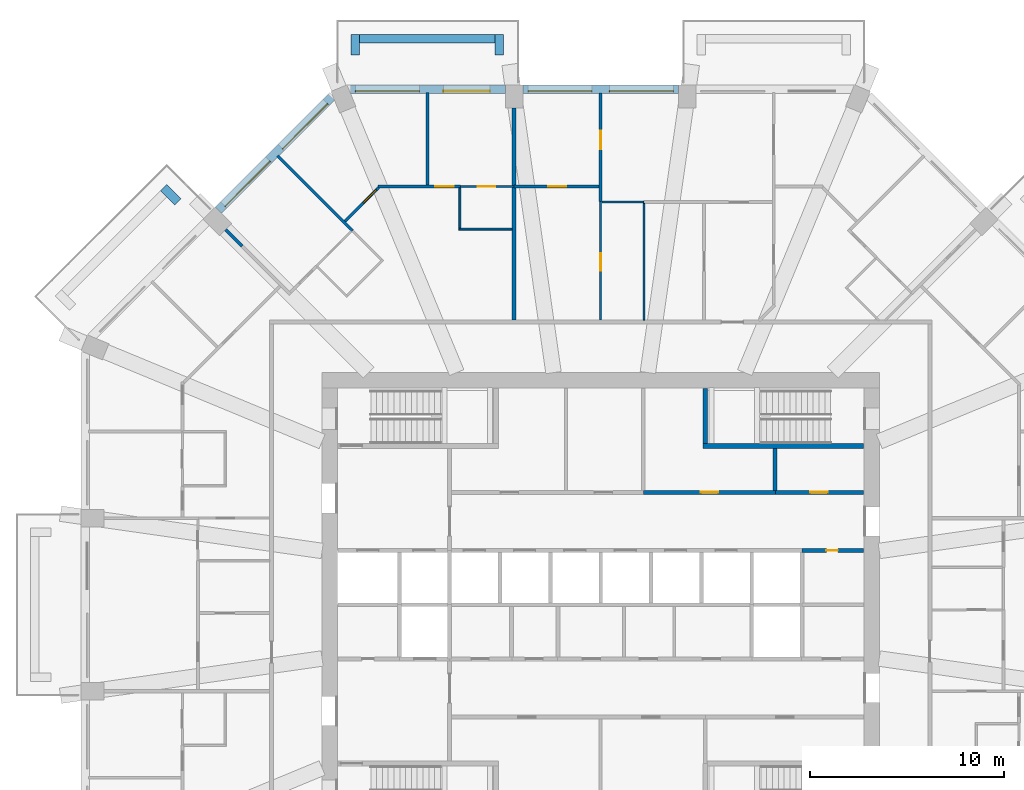
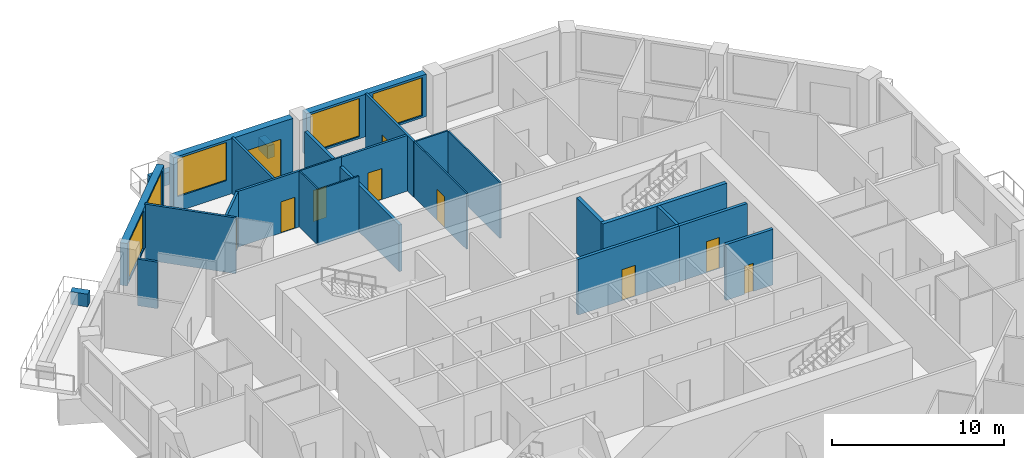
# One storey, part 9 of 13: 27 walls, 10 doors, 5 windows, 15 openings.
"""IFC4 building model written with IfcOpenShell, lengths in metres."""

from ifc_helpers import new_model, si_unit, direction, frame, frame_2d, origin, place, context, subcontext, project, spatial, rectangle, extrude, material, layer, layer_set, type_object, element, fill, save


model = new_model("IFC4")

# Units and contexts
model_context = context("Model", 3, precision=1e-05, world=origin(), true_north=direction((0.0, 1.0)))
body_context = subcontext(model_context, "Body", "Model", "MODEL_VIEW")
ifc_project = project(units=[si_unit("LENGTHUNIT", "METRE"), si_unit("AREAUNIT", "SQUARE_METRE"), si_unit("VOLUMEUNIT", "CUBIC_METRE"), si_unit("PLANEANGLEUNIT", "RADIAN"), si_unit("MASSUNIT", "GRAM", prefix="KILO")], contexts=[model_context])

# Site, building, storey
site_placement = place(None, origin())
site = spatial("IfcSite", under=ifc_project, at=site_placement, CompositionType="ELEMENT")
building_placement = place(site_placement, origin())
building = spatial("IfcBuilding", under=site, at=building_placement, Name="Msitu Wima Residences", CompositionType="ELEMENT")
storey_placement = place(building_placement, frame((0.0, 0.0, 106.5)))
storey = spatial("IfcBuildingStorey", under=building, at=storey_placement, Name="L24", CompositionType="ELEMENT", Elevation=106.5)

# Walls
ifc_material_1 = material(Name="Facing brick")
ifc_layer_1 = layer(ifc_material_1, 0.06494140625, Name="Facing brick")
ifc_material_2 = material(Name="Concrete C40/50", Category="concrete")
ifc_layer_2 = layer(ifc_material_2, 0.156005859375, Name="Concrete C40/50")
ifc_material_3 = material(Name="Waterproofing membrane")
ifc_layer_3 = layer(ifc_material_3, 0.00390625, Name="Waterproofing membrane")
ifc_material_4 = material(Name="Planting soil and planting")
ifc_layer_4 = layer(ifc_material_4, 0.22509765625, Name="Planting soil and planting")
ifc_layer_set_1 = layer_set([ifc_layer_1, ifc_layer_2, ifc_layer_3, ifc_layer_4], Name="Concrete C40/50")
wall_type_1 = type_object("IfcWallType", Name="Balcony planter PLANTER PL450", PredefinedType="USERDEFINED", material=ifc_layer_set_1)
wall_1_placement = place(storey_placement, frame((-5.468505859375, 29.22509765625, 0.0), z_axis=(0.0, 0.0, 1.0), x_axis=(-1.0, 0.0, 0.0)))
element("IfcWall", 1, at=wall_1_placement, inside=storey, type_object=wall_type_1, Name="Balcony planter N2 L24", ObjectType="PLANTER", PredefinedType="USERDEFINED", context=body_context, shape_type="SweptSolid", body=[
    extrude(rectangle(XDim=6.9873046875, YDim=0.449951171875, at=frame_2d((3.49365234375, 0.0))), origin(), (0.0, 0.0, 1.0), 0.89990234375),
])
for number, where, z_axis, x_axis, name in (
    (2, (-5.24365234375, 28.39990234375, 0.0), (0.0, 0.0, 1.0), (0.0, 1.0, 0.0), "Balcony planter N2 L24"),
    (3, (-12.680908203125, 28.39990234375, 0.0), (0.0, 0.0, 1.0), (0.0, 1.0, 0.0), "Balcony planter N2 L24"),
    (4, (-21.829833984375, 20.804443359375, 0.0), (0.0, 0.0, 1.0), (-0.707106781187, 0.707106781187, 0.0), "Balcony planter NW1 L24"),
):
    element("IfcWall", number, at=place(storey_placement, frame(where, z_axis=z_axis, x_axis=x_axis)), inside=storey, type_object=wall_type_1, Name=name, ObjectType="PLANTER", PredefinedType="USERDEFINED", context=body_context, shape_type="SweptSolid", body=[
        extrude(rectangle(XDim=1.050048828125, YDim=0.449951171875, at=frame_2d((0.52490234375, 0.0))), origin(), (0.0, 0.0, 1.0), 0.89990234375),
    ])

# Wall, openings, windows
ifc_material_5 = material(Name="Brick (red buff mix)", Category="masonry")
ifc_layer_5 = layer(ifc_material_5, 0.449951171875)
ifc_layer_set_2 = layer_set([ifc_layer_5], Name="Brick (red buff mix)")
wall_type_2 = type_object("IfcWallType", Name="Brick infill wall BW450", PredefinedType="SOLIDWALL", material=ifc_layer_set_2)
wall_2_placement = place(storey_placement, frame((4.0185546875, 26.625, 0.89990234375), z_axis=(0.0, 0.0, 1.0), x_axis=(-1.0, 0.0, 0.0)))
wall_2 = element("IfcWall", 5, at=wall_2_placement, inside=storey, type_object=wall_type_2, Name="Brick infill wall L24 N1", PredefinedType="SOLIDWALL", context=body_context, shape_type="SweptSolid", body=[
    extrude(rectangle(XDim=8.037109375, YDim=0.449951171875, at=frame_2d((4.0185546875, 0.0))), origin(), (0.0, 0.0, 1.0), 3.0),
])
opening_1_placement = place(wall_2_placement, frame((0.2685546875, 0.0, 0.14990234375)))
opening_1 = element("IfcOpeningElement", 6, at=opening_1_placement, cuts=wall_2, Name="Opening W24.007", PredefinedType="OPENING", context=body_context, shape_type="SweptSolid", body=[
    extrude(rectangle(XDim=3.300048828125, YDim=2.699951171875, at=frame_2d((1.64990234375, 1.35009765625))), frame((0.0, 0.23486328125, 0.0), z_axis=(0.0, -1.0, 0.0), x_axis=(1.0, 0.0, 0.0)), (0.0, 0.0, 1.0), 0.469970703125),
])
opening_2_placement = place(wall_2_placement, frame((4.46875, 0.0, 0.14990234375)))
opening_2 = element("IfcOpeningElement", 7, at=opening_2_placement, cuts=wall_2, Name="Opening W24.008", PredefinedType="OPENING", context=body_context, shape_type="SweptSolid", body=[
    extrude(rectangle(XDim=3.300048828125, YDim=2.699951171875, at=frame_2d((1.64990234375, 1.35009765625))), frame((0.0, 0.23486328125, 0.0), z_axis=(0.0, -1.0, 0.0), x_axis=(1.0, 0.0, 0.0)), (0.0, 0.0, 1.0), 0.469970703125),
])
ifc_material_6 = material(Name="Anodised aluminium, bronze finish, clear low-emissivity double glazing", Category="aluminium")
window_type = type_object("IfcWindowType", Name="Window W3300x2700", PartitioningType="DOUBLE_PANEL_VERTICAL", PredefinedType="WINDOW", material=ifc_material_6)
window_1_placement = place(opening_1_placement, origin())
window_1 = element("IfcWindow", 8, at=window_1_placement, inside=storey, type_object=window_type, Name="Window L24 N1.1", OverallHeight=2.699951171875, OverallWidth=3.300048828125, PartitioningType="SINGLE_PANEL", PredefinedType="WINDOW", context=body_context, shape_type="SweptSolid", body=[
    extrude(rectangle(XDim=3.300048828125, YDim=2.699951171875, at=frame_2d((1.64990234375, 1.35009765625))), frame((0.0, 0.135009765625, 0.0), z_axis=(0.0, -1.0, 0.0), x_axis=(1.0, 0.0, 0.0)), (0.0, 0.0, 1.0), 0.06005859375),
])
fill(opening_1, window_1)
window_2_placement = place(opening_2_placement, origin())
window_2 = element("IfcWindow", 9, at=window_2_placement, inside=storey, type_object=window_type, Name="Window L24 N1.2", OverallHeight=2.699951171875, OverallWidth=3.300048828125, PartitioningType="SINGLE_PANEL", PredefinedType="WINDOW", context=body_context, shape_type="SweptSolid", body=[
    extrude(rectangle(XDim=3.300048828125, YDim=2.699951171875, at=frame_2d((1.64990234375, 1.35009765625))), frame((0.0, 0.135009765625, 0.0), z_axis=(0.0, -1.0, 0.0), x_axis=(1.0, 0.0, 0.0)), (0.0, 0.0, 1.0), 0.06005859375),
])
fill(opening_2, window_2)

# Wall, openings, door, window
wall_3_placement = place(storey_placement, frame((-4.918701171875, 26.625, 0.0), z_axis=(0.0, 0.0, 1.0), x_axis=(-1.0, 0.0, 0.0)))
wall_3 = element("IfcWall", 10, at=wall_3_placement, inside=storey, type_object=wall_type_2, Name="Brick infill wall L24 N2", PredefinedType="SOLIDWALL", context=body_context, shape_type="SweptSolid", body=[
    extrude(rectangle(XDim=8.0, YDim=0.449951171875, at=frame_2d((4.0, 0.0))), origin(), (0.0, 0.0, 1.0), 3.89990234375),
])
opening_3_placement = place(wall_3_placement, frame((0.800048828125, 0.0, 0.0)))
opening_3 = element("IfcOpeningElement", 11, at=opening_3_placement, cuts=wall_3, Name="Opening D24.003", PredefinedType="OPENING", context=body_context, shape_type="SweptSolid", body=[
    extrude(rectangle(XDim=2.39990234375, YDim=2.699951171875, at=frame_2d((1.199951171875, 1.35009765625))), frame((0.0, 0.23486328125, 0.0), z_axis=(0.0, -1.0, 0.0), x_axis=(1.0, 0.0, 0.0)), (0.0, 0.0, 1.0), 0.469970703125),
])
opening_4_placement = place(wall_3_placement, frame((4.4501953125, 0.0, 1.050048828125)))
opening_4 = element("IfcOpeningElement", 12, at=opening_4_placement, cuts=wall_3, Name="Opening W24.009", PredefinedType="OPENING", context=body_context, shape_type="SweptSolid", body=[
    extrude(rectangle(XDim=3.300048828125, YDim=2.699951171875, at=frame_2d((1.64990234375, 1.35009765625))), frame((0.0, 0.23486328125, 0.0), z_axis=(0.0, -1.0, 0.0), x_axis=(1.0, 0.0, 0.0)), (0.0, 0.0, 1.0), 0.469970703125),
])
door_type_1 = type_object("IfcDoorType", Name="Balcony door D2400x2700", OperationType="SLIDING_TO_LEFT", PredefinedType="DOOR", material=ifc_material_6)
door_1_placement = place(opening_3_placement, origin())
door_1 = element("IfcDoor", 13, at=door_1_placement, inside=storey, type_object=door_type_1, Name="Balcony door L24 N2", OperationType="SINGLE_SWING_LEFT", OverallHeight=2.699951171875, OverallWidth=2.39990234375, PredefinedType="DOOR", context=body_context, shape_type="SweptSolid", body=[
    extrude(rectangle(XDim=2.39990234375, YDim=2.699951171875, at=frame_2d((1.199951171875, 1.35009765625))), frame((0.0, 0.1298828125, 0.0), z_axis=(0.0, -1.0, 0.0), x_axis=(1.0, 0.0, 0.0)), (0.0, 0.0, 1.0), 0.050048828125),
])
fill(opening_3, door_1)
window_3_placement = place(opening_4_placement, origin())
window_3 = element("IfcWindow", 14, at=window_3_placement, inside=storey, type_object=window_type, Name="Window L24 N2.2", OverallHeight=2.699951171875, OverallWidth=3.300048828125, PartitioningType="SINGLE_PANEL", PredefinedType="WINDOW", context=body_context, shape_type="SweptSolid", body=[
    extrude(rectangle(XDim=3.300048828125, YDim=2.699951171875, at=frame_2d((1.64990234375, 1.35009765625))), frame((0.0, 0.135009765625, 0.0), z_axis=(0.0, -1.0, 0.0), x_axis=(1.0, 0.0, 0.0)), (0.0, 0.0, 1.0), 0.06005859375),
])
fill(opening_4, window_3)

# Wall, openings, windows
wall_4_placement = place(storey_placement, frame((-13.909423828125, 26.214599609375, 0.89990234375), z_axis=(0.0, 0.0, 1.0), x_axis=(-0.707106781187, -0.707106781187, 0.0)))
wall_4 = element("IfcWall", 15, at=wall_4_placement, inside=storey, type_object=wall_type_2, Name="Brick infill wall L24 NW0", PredefinedType="SOLIDWALL", context=body_context, shape_type="SweptSolid", body=[
    extrude(rectangle(XDim=8.251220703125, YDim=0.449951171875, at=frame_2d((4.12548828125, 0.0))), origin(), (0.0, 0.0, 1.0), 3.0),
])
opening_5_placement = place(wall_4_placement, frame((0.37548828125, 0.0, 0.14990234375)))
opening_5 = element("IfcOpeningElement", 16, at=opening_5_placement, cuts=wall_4, Name="Opening W24.013", PredefinedType="OPENING", context=body_context, shape_type="SweptSolid", body=[
    extrude(rectangle(XDim=3.300048828125, YDim=2.699951171875, at=frame_2d((1.64990234375, 1.35009765625))), frame((0.0, 0.23486328125, 0.0), z_axis=(0.0, -1.0, 0.0), x_axis=(1.0, 0.0, 0.0)), (0.0, 0.0, 1.0), 0.469970703125),
])
opening_6_placement = place(wall_4_placement, frame((4.57568359375, 0.0, 0.14990234375)))
opening_6 = element("IfcOpeningElement", 17, at=opening_6_placement, cuts=wall_4, Name="Opening W24.014", PredefinedType="OPENING", context=body_context, shape_type="SweptSolid", body=[
    extrude(rectangle(XDim=3.300048828125, YDim=2.699951171875, at=frame_2d((1.64990234375, 1.35009765625))), frame((0.0, 0.23486328125, 0.0), z_axis=(0.0, -1.0, 0.0), x_axis=(1.0, 0.0, 0.0)), (0.0, 0.0, 1.0), 0.469970703125),
])
window_4_placement = place(opening_5_placement, origin())
window_4 = element("IfcWindow", 18, at=window_4_placement, inside=storey, type_object=window_type, Name="Window L24 NW0.1", OverallHeight=2.699951171875, OverallWidth=3.300048828125, PartitioningType="SINGLE_PANEL", PredefinedType="WINDOW", context=body_context, shape_type="SweptSolid", body=[
    extrude(rectangle(XDim=3.300048828125, YDim=2.699951171875, at=frame_2d((1.64990234375, 1.35009765625))), frame((0.0, 0.135009765625, 0.0), z_axis=(0.0, -1.0, 0.0), x_axis=(1.0, 0.0, 0.0)), (0.0, 0.0, 1.0), 0.06005859375),
])
fill(opening_5, window_4)
window_5_placement = place(opening_6_placement, origin())
window_5 = element("IfcWindow", 19, at=window_5_placement, inside=storey, type_object=window_type, Name="Window L24 NW0.2", OverallHeight=2.699951171875, OverallWidth=3.300048828125, PartitioningType="SINGLE_PANEL", PredefinedType="WINDOW", context=body_context, shape_type="SweptSolid", body=[
    extrude(rectangle(XDim=3.300048828125, YDim=2.699951171875, at=frame_2d((1.64990234375, 1.35009765625))), frame((0.0, 0.135009765625, 0.0), z_axis=(0.0, -1.0, 0.0), x_axis=(1.0, 0.0, 0.0)), (0.0, 0.0, 1.0), 0.06005859375),
])
fill(opening_6, window_5)

# Wall, opening, door
ifc_material_7 = material(Name="Plaster")
ifc_layer_6 = layer(ifc_material_7, 0.011962890625, Name="Plaster")
ifc_material_8 = material(Name="Concrete blockwork", Category="masonry")
ifc_layer_7 = layer(ifc_material_8, 0.176025390625, Name="Concrete blockwork")
ifc_layer_8 = layer(ifc_material_7, 0.011962890625, Name="Plaster")
ifc_layer_set_3 = layer_set([ifc_layer_6, ifc_layer_7, ifc_layer_8], Name="Concrete blockwork")
wall_type_3 = type_object("IfcWallType", Name="Corridor wall FW200", PredefinedType="PARTITIONING", material=ifc_layer_set_3)
wall_5_placement = place(storey_placement, frame((9.02001953125, 5.800048828125, 0.0), z_axis=(0.0, 0.0, 1.0), x_axis=(1.0, 0.0, 0.0)))
wall_5 = element("IfcWall", 20, at=wall_5_placement, inside=storey, type_object=wall_type_3, Name="Corridor wall", PredefinedType="PARTITIONING", context=body_context, shape_type="SweptSolid", body=[
    extrude(rectangle(XDim=4.550048828125, YDim=0.199951171875, at=frame_2d((2.27490234375, 0.0))), origin(), (0.0, 0.0, 1.0), 3.949951171875),
])
opening_7_placement = place(wall_5_placement, frame((1.800048828125, 0.0, 0.0)))
opening_7 = element("IfcOpeningElement", 21, at=opening_7_placement, cuts=wall_5, Name="Opening D24.023", PredefinedType="OPENING", context=body_context, shape_type="SweptSolid", body=[
    extrude(rectangle(XDim=0.89990234375, YDim=2.199951171875, at=frame_2d((0.449951171875, 1.10009765625))), frame((0.0, 0.10986328125, 0.0), z_axis=(0.0, -1.0, 0.0), x_axis=(1.0, 0.0, 0.0)), (0.0, 0.0, 1.0), 0.219970703125),
])
ifc_material_9 = material(Name="Timber flush door", Category="wood")
door_type_2 = type_object("IfcDoorType", Name="Service door D05 900x2200", OperationType="SINGLE_SWING_LEFT", PredefinedType="DOOR", material=ifc_material_9)
door_2_placement = place(opening_7_placement, origin())
door_2 = element("IfcDoor", 22, at=door_2_placement, inside=storey, type_object=door_type_2, Name="Service door", OperationType="SINGLE_SWING_LEFT", OverallHeight=2.199951171875, OverallWidth=0.89990234375, PredefinedType="DOOR", context=body_context, shape_type="SweptSolid", body=[
    extrude(rectangle(XDim=0.89990234375, YDim=2.199951171875, at=frame_2d((0.449951171875, 1.10009765625))), frame((0.0, 0.02490234375, 0.0), z_axis=(0.0, -1.0, 0.0), x_axis=(1.0, 0.0, 0.0)), (0.0, 0.0, 1.0), 0.050048828125),
])
fill(opening_7, door_2)

# Walls
ifc_layer_9 = layer(ifc_material_7, 0.011962890625, Name="Plaster")
ifc_layer_10 = layer(ifc_material_8, 0.1259765625, Name="Concrete blockwork")
ifc_layer_11 = layer(ifc_material_7, 0.011962890625, Name="Plaster")
ifc_layer_set_4 = layer_set([ifc_layer_9, ifc_layer_10, ifc_layer_11], Name="Concrete blockwork")
wall_type_4 = type_object("IfcWallType", Name="Partition PW150", PredefinedType="PARTITIONING", material=ifc_layer_set_4)
wall_6_placement = place(storey_placement, frame((-19.37255859375, 19.37255859375, 0.0), z_axis=(0.0, 0.0, 1.0), x_axis=(0.707106781187, -0.707106781187, 0.0)))
element("IfcWall", 23, at=wall_6_placement, inside=storey, type_object=wall_type_4, Name="Partition", PredefinedType="PARTITIONING", context=body_context, shape_type="SweptSolid", body=[
    extrude(rectangle(XDim=1.209228515625, YDim=0.14990234375, at=frame_2d((0.6044921875, 0.0))), origin(), (0.0, 0.0, 1.0), 3.300048828125),
])
wall_7_placement = place(storey_placement, frame((-16.693359375, 23.1904296875, 0.0), z_axis=(0.0, 0.0, 1.0), x_axis=(0.707106781187, -0.707106781187, 0.0)))
element("IfcWall", 24, at=wall_7_placement, inside=storey, type_object=wall_type_4, Name="Partition", PredefinedType="PARTITIONING", context=body_context, shape_type="SweptSolid", body=[
    extrude(rectangle(XDim=5.475341796875, YDim=0.14990234375, at=frame_2d((2.73779296875, 0.0))), origin(), (0.0, 0.0, 1.0), 3.949951171875),
])

# Wall, opening, door
wall_8_placement = place(storey_placement, frame((-13.207275390625, 19.810302734375, 0.0), z_axis=(0.0, 0.0, 1.0), x_axis=(0.707106781187, 0.707106781187, 0.0)))
wall_8 = element("IfcWall", 25, at=wall_8_placement, inside=storey, type_object=wall_type_4, Name="Partition", PredefinedType="PARTITIONING", context=body_context, shape_type="SweptSolid", body=[
    extrude(rectangle(XDim=2.455810546875, YDim=0.14990234375, at=frame_2d((1.22802734375, 0.0))), origin(), (0.0, 0.0, 1.0), 3.949951171875),
])
opening_8_placement = place(wall_8_placement, frame((1.35009765625, 0.0, 0.0)))
opening_8 = element("IfcOpeningElement", 26, at=opening_8_placement, cuts=wall_8, Name="Opening D24.059", PredefinedType="OPENING", context=body_context, shape_type="SweptSolid", body=[
    extrude(rectangle(XDim=0.949951171875, YDim=2.199951171875, at=frame_2d((0.47509765625, 1.10009765625))), frame((0.0, 0.0849609375, 0.0), z_axis=(0.0, -1.0, 0.0), x_axis=(1.0, 0.0, 0.0)), (0.0, 0.0, 1.0), 0.169921875),
])
door_type_3 = type_object("IfcDoorType", Name="Room door D12 950x2200", OperationType="SINGLE_SWING_LEFT", PredefinedType="DOOR", material=ifc_material_9)
door_3_placement = place(opening_8_placement, origin())
door_3 = element("IfcDoor", 27, at=door_3_placement, inside=storey, type_object=door_type_3, Name="Room door", OperationType="SINGLE_SWING_LEFT", OverallHeight=2.199951171875, OverallWidth=0.949951171875, PredefinedType="DOOR", context=body_context, shape_type="SweptSolid", body=[
    extrude(rectangle(XDim=0.949951171875, YDim=2.199951171875, at=frame_2d((0.47509765625, 1.10009765625))), frame((0.0, 0.02490234375, 0.0), z_axis=(0.0, -1.0, 0.0), x_axis=(1.0, 0.0, 0.0)), (0.0, 0.0, 1.0), 0.050048828125),
])
fill(opening_8, door_3)

wall_9_placement = place(storey_placement, frame((-11.49267578125, 21.60009765625, 0.0), z_axis=(0.0, 0.0, 1.0), x_axis=(1.0, 0.0, 0.0)))
wall_9 = element("IfcWall", 28, at=wall_9_placement, inside=storey, type_object=wall_type_4, Name="Partition", PredefinedType="PARTITIONING", context=body_context, shape_type="SweptSolid", body=[
    extrude(rectangle(XDim=4.244140625, YDim=0.14990234375, at=frame_2d((2.1220703125, 0.0))), origin(), (0.0, 0.0, 1.0), 3.949951171875),
])
opening_9_placement = place(wall_9_placement, frame((2.949951171875, 0.0, 0.0)))
opening_9 = element("IfcOpeningElement", 29, at=opening_9_placement, cuts=wall_9, Name="Opening D24.055", PredefinedType="OPENING", context=body_context, shape_type="SweptSolid", body=[
    extrude(rectangle(XDim=0.949951171875, YDim=2.199951171875, at=frame_2d((0.47509765625, 1.10009765625))), frame((0.0, 0.0849609375, 0.0), z_axis=(0.0, -1.0, 0.0), x_axis=(1.0, 0.0, 0.0)), (0.0, 0.0, 1.0), 0.169921875),
])
door_4_placement = place(opening_9_placement, origin())
door_4 = element("IfcDoor", 30, at=door_4_placement, inside=storey, type_object=door_type_3, Name="Room door", OperationType="SINGLE_SWING_LEFT", OverallHeight=2.199951171875, OverallWidth=0.949951171875, PredefinedType="DOOR", context=body_context, shape_type="SweptSolid", body=[
    extrude(rectangle(XDim=0.949951171875, YDim=2.199951171875, at=frame_2d((0.47509765625, 1.10009765625))), frame((0.0, 0.02490234375, 0.0), z_axis=(0.0, -1.0, 0.0), x_axis=(1.0, 0.0, 0.0)), (0.0, 0.0, 1.0), 0.050048828125),
])
fill(opening_9, door_4)

# Wall
wall_10_placement = place(storey_placement, frame((-8.937255859375, 21.675048828125, 0.0), z_axis=(0.0, 0.0, 1.0), x_axis=(0.0, 1.0, 0.0)))
element("IfcWall", 31, at=wall_10_placement, inside=storey, type_object=wall_type_4, Name="Partition", PredefinedType="PARTITIONING", context=body_context, shape_type="SweptSolid", body=[
    extrude(rectangle(XDim=4.780029296875, YDim=0.14990234375, at=frame_2d((2.39013671875, 0.0))), origin(), (0.0, 0.0, 1.0), 3.949951171875),
])

# Wall, opening, door
wall_11_placement = place(storey_placement, frame((-4.46875, 21.60009765625, 0.0), z_axis=(0.0, 0.0, 1.0), x_axis=(1.0, 0.0, 0.0)))
wall_11 = element("IfcWall", 32, at=wall_11_placement, inside=storey, type_object=wall_type_4, Name="Partition", PredefinedType="PARTITIONING", context=body_context, shape_type="SweptSolid", body=[
    extrude(rectangle(XDim=4.393798828125, YDim=0.14990234375, at=frame_2d((2.19677734375, 0.0))), origin(), (0.0, 0.0, 1.0), 3.949951171875),
])
opening_10_placement = place(wall_11_placement, frame((1.75, 0.0, 0.0)))
opening_10 = element("IfcOpeningElement", 33, at=opening_10_placement, cuts=wall_11, Name="Opening D24.093", PredefinedType="OPENING", context=body_context, shape_type="SweptSolid", body=[
    extrude(rectangle(XDim=0.949951171875, YDim=2.199951171875, at=frame_2d((0.47509765625, 1.10009765625))), frame((0.0, 0.0849609375, 0.0), z_axis=(0.0, -1.0, 0.0), x_axis=(1.0, 0.0, 0.0)), (0.0, 0.0, 1.0), 0.169921875),
])
door_5_placement = place(opening_10_placement, origin())
door_5 = element("IfcDoor", 34, at=door_5_placement, inside=storey, type_object=door_type_3, Name="Room door", OperationType="SINGLE_SWING_LEFT", OverallHeight=2.199951171875, OverallWidth=0.949951171875, PredefinedType="DOOR", context=body_context, shape_type="SweptSolid", body=[
    extrude(rectangle(XDim=0.949951171875, YDim=2.199951171875, at=frame_2d((0.47509765625, 1.10009765625))), frame((0.0, 0.02490234375, 0.0), z_axis=(0.0, -1.0, 0.0), x_axis=(1.0, 0.0, 0.0)), (0.0, 0.0, 1.0), 0.050048828125),
])
fill(opening_10, door_5)

wall_12_placement = place(storey_placement, frame((0.0, 20.820068359375, 0.0), z_axis=(0.0, 0.0, 1.0), x_axis=(0.0, 1.0, 0.0)))
wall_12 = element("IfcWall", 35, at=wall_12_placement, inside=storey, type_object=wall_type_4, Name="Partition", PredefinedType="PARTITIONING", context=body_context, shape_type="SweptSolid", body=[
    extrude(rectangle(XDim=5.60498046875, YDim=0.14990234375, at=frame_2d((2.802490234375, 0.0))), origin(), (0.0, 0.0, 1.0), 3.949951171875),
])
opening_11_placement = place(wall_12_placement, frame((2.699951171875, 0.0, 0.0)))
opening_11 = element("IfcOpeningElement", 36, at=opening_11_placement, cuts=wall_12, Name="Opening D24.092", PredefinedType="OPENING", context=body_context, shape_type="SweptSolid", body=[
    extrude(rectangle(XDim=0.949951171875, YDim=2.199951171875, at=frame_2d((0.47509765625, 1.10009765625))), frame((0.0, 0.0849609375, 0.0), z_axis=(0.0, -1.0, 0.0), x_axis=(1.0, 0.0, 0.0)), (0.0, 0.0, 1.0), 0.169921875),
])
door_6_placement = place(opening_11_placement, origin())
door_6 = element("IfcDoor", 37, at=door_6_placement, inside=storey, type_object=door_type_3, Name="Room door", OperationType="SINGLE_SWING_RIGHT", OverallHeight=2.199951171875, OverallWidth=0.949951171875, PredefinedType="DOOR", context=body_context, shape_type="SweptSolid", body=[
    extrude(rectangle(XDim=0.949951171875, YDim=2.199951171875, at=frame_2d((0.47509765625, 1.10009765625))), frame((0.0, 0.02490234375, 0.0), z_axis=(0.0, -1.0, 0.0), x_axis=(1.0, 0.0, 0.0)), (0.0, 0.0, 1.0), 0.050048828125),
])
fill(opening_11, door_6)

# Wall
ifc_layer_12 = layer(ifc_material_7, 0.011962890625, Name="Plaster")
ifc_material_10 = material(Name="Dense concrete blockwork", Category="masonry")
ifc_layer_13 = layer(ifc_material_10, 0.176025390625, Name="Dense concrete blockwork")
ifc_layer_14 = layer(ifc_material_7, 0.011962890625, Name="Plaster")
ifc_layer_set_5 = layer_set([ifc_layer_12, ifc_layer_13, ifc_layer_14], Name="Dense concrete blockwork")
wall_type_5 = type_object("IfcWallType", Name="Party wall PW200", PredefinedType="PARTITIONING", material=ifc_layer_set_5)
wall_13_placement = place(storey_placement, frame((-4.46875, 14.699951171875, 0.0), z_axis=(0.0, 0.0, 1.0), x_axis=(0.0, 1.0, 0.0)))
element("IfcWall", 38, at=wall_13_placement, inside=storey, type_object=wall_type_5, Name="Party wall", PredefinedType="PARTITIONING", context=body_context, shape_type="SweptSolid", body=[
    extrude(rectangle(XDim=10.949951171875, YDim=0.199951171875, at=frame_2d((5.47509765625, 0.0))), origin(), (0.0, 0.0, 1.0), 3.300048828125),
])

# Wall, opening, door
ifc_layer_15 = layer(ifc_material_7, 0.011962890625, Name="Plaster")
ifc_material_11 = material(Name="Reinforced concrete blockwork", Category="masonry")
ifc_layer_16 = layer(ifc_material_11, 0.176025390625, Name="Reinforced concrete blockwork")
ifc_layer_17 = layer(ifc_material_7, 0.011962890625, Name="Plaster")
ifc_layer_set_6 = layer_set([ifc_layer_15, ifc_layer_16, ifc_layer_17], Name="Reinforced concrete blockwork")
wall_type_6 = type_object("IfcWallType", Name="Plant and riser wall PL200", PredefinedType="PARTITIONING", material=ifc_layer_set_6)
wall_14_placement = place(storey_placement, frame((2.219970703125, 5.800048828125, 0.0), z_axis=(0.0, 0.0, 1.0), x_axis=(1.0, 0.0, 0.0)))
wall_14 = element("IfcWall", 39, at=wall_14_placement, inside=storey, type_object=wall_type_6, Name="Plant and riser wall", PredefinedType="PARTITIONING", context=body_context, shape_type="SweptSolid", body=[
    extrude(rectangle(XDim=6.800048828125, YDim=0.199951171875, at=frame_2d((3.39990234375, 0.0))), origin(), (0.0, 0.0, 1.0), 3.949951171875),
])
opening_12_placement = place(wall_14_placement, frame((2.949951171875, 0.0, 0.0)))
opening_12 = element("IfcOpeningElement", 40, at=opening_12_placement, cuts=wall_14, Name="Opening D24.022", PredefinedType="OPENING", context=body_context, shape_type="SweptSolid", body=[
    extrude(rectangle(XDim=0.89990234375, YDim=2.199951171875, at=frame_2d((0.449951171875, 1.10009765625))), frame((0.0, 0.10986328125, 0.0), z_axis=(0.0, -1.0, 0.0), x_axis=(1.0, 0.0, 0.0)), (0.0, 0.0, 1.0), 0.219970703125),
])
door_7_placement = place(opening_12_placement, origin())
door_7 = element("IfcDoor", 41, at=door_7_placement, inside=storey, type_object=door_type_2, Name="Service door", OperationType="SINGLE_SWING_RIGHT", OverallHeight=2.199951171875, OverallWidth=0.89990234375, PredefinedType="DOOR", context=body_context, shape_type="SweptSolid", body=[
    extrude(rectangle(XDim=0.89990234375, YDim=2.199951171875, at=frame_2d((0.449951171875, 1.10009765625))), frame((0.0, 0.02490234375, 0.0), z_axis=(0.0, -1.0, 0.0), x_axis=(1.0, 0.0, 0.0)), (0.0, 0.0, 1.0), 0.050048828125),
])
fill(opening_12, door_7)

# Wall
wall_15_placement = place(storey_placement, frame((9.0, 5.89990234375, 0.0), z_axis=(0.0, 0.0, 1.0), x_axis=(0.0, 1.0, 0.0)))
element("IfcWall", 42, at=wall_15_placement, inside=storey, type_object=wall_type_6, Name="Plant and riser wall", PredefinedType="PARTITIONING", context=body_context, shape_type="SweptSolid", body=[
    extrude(rectangle(XDim=2.175048828125, YDim=0.199951171875, at=frame_2d((1.08740234375, 0.0))), origin(), (0.0, 0.0, 1.0), 3.949951171875),
])

# Wall, opening, door
wall_16_placement = place(storey_placement, frame((10.39990234375, 2.800048828125, 0.0), z_axis=(0.0, 0.0, 1.0), x_axis=(1.0, 0.0, 0.0)))
wall_16 = element("IfcWall", 43, at=wall_16_placement, inside=storey, type_object=wall_type_6, Name="Plant and riser wall", PredefinedType="PARTITIONING", context=body_context, shape_type="SweptSolid", body=[
    extrude(rectangle(XDim=3.170166015625, YDim=0.199951171875, at=frame_2d((1.5849609375, 0.0))), origin(), (0.0, 0.0, 1.0), 3.949951171875),
])
opening_13_placement = place(wall_16_placement, frame((1.25, 0.0, 0.0)))
opening_13 = element("IfcOpeningElement", 44, at=opening_13_placement, cuts=wall_16, Name="Opening D24.029", PredefinedType="OPENING", context=body_context, shape_type="SweptSolid", body=[
    extrude(rectangle(XDim=0.60009765625, YDim=2.0, at=frame_2d((0.300048828125, 1.0))), frame((0.0, 0.10986328125, 0.0), z_axis=(0.0, -1.0, 0.0), x_axis=(1.0, 0.0, 0.0)), (0.0, 0.0, 1.0), 0.219970703125),
])
ifc_material_12 = material(Name="Steel access door, fire resisting", Category="steel")
door_type_4 = type_object("IfcDoorType", Name="Riser access door D08 600x2000", OperationType="SINGLE_SWING_LEFT", PredefinedType="DOOR", material=ifc_material_12)
door_8_placement = place(opening_13_placement, origin())
door_8 = element("IfcDoor", 45, at=door_8_placement, inside=storey, type_object=door_type_4, Name="Riser access door", OperationType="SINGLE_SWING_RIGHT", OverallHeight=2.0, OverallWidth=0.60009765625, PredefinedType="DOOR", context=body_context, shape_type="SweptSolid", body=[
    extrude(rectangle(XDim=0.60009765625, YDim=2.0, at=frame_2d((0.300048828125, 1.0))), frame((0.0, 0.02490234375, 0.0), z_axis=(0.0, -1.0, 0.0), x_axis=(1.0, 0.0, 0.0)), (0.0, 0.0, 1.0), 0.050048828125),
])
fill(opening_13, door_8)

# Walls
ifc_material_13 = material(Name="Concrete C50/60", Category="concrete")
ifc_layer_18 = layer(ifc_material_13, 0.25)
ifc_layer_set_7 = layer_set([ifc_layer_18], Name="Concrete C50/60")
wall_type_7 = type_object("IfcWallType", Name="Stair enclosure wall SW250", PredefinedType="SHEAR", material=ifc_layer_set_7)
wall_17_placement = place(storey_placement, frame((5.39990234375, 8.324951171875, 0.0), z_axis=(0.0, 0.0, 1.0), x_axis=(0.0, 1.0, 0.0)))
element("IfcWall", 46, at=wall_17_placement, inside=storey, type_object=wall_type_7, Name="Stair enclosure wall", PredefinedType="SHEAR", context=body_context, shape_type="SweptSolid", body=[
    extrude(rectangle(XDim=2.844970703125, YDim=0.25, at=frame_2d((1.42236328125, 0.0))), origin(), (0.0, 0.0, 1.0), 3.949951171875),
])
wall_18_placement = place(storey_placement, frame((5.27490234375, 8.199951171875, 0.0), z_axis=(0.0, 0.0, 1.0), x_axis=(1.0, 0.0, 0.0)))
element("IfcWall", 47, at=wall_18_placement, inside=storey, type_object=wall_type_7, Name="Stair enclosure wall", PredefinedType="SHEAR", context=body_context, shape_type="SweptSolid", body=[
    extrude(rectangle(XDim=8.295166015625, YDim=0.25, at=frame_2d((4.1474609375, 0.0))), origin(), (0.0, 0.0, 1.0), 3.949951171875),
])

# Wall, opening, door
ifc_material_14 = material(Name="Ceramic tiles")
ifc_layer_19 = layer(ifc_material_14, 0.008056640625, Name="Ceramic tiles")
ifc_material_15 = material(Name="Moisture-resistant board")
ifc_layer_20 = layer(ifc_material_15, 0.012451171875, Name="Moisture-resistant board")
ifc_material_16 = material(Name="Light-gauge stud framing with mineral wool")
ifc_layer_21 = layer(ifc_material_16, 0.06689453125, Name="Light-gauge stud framing with mineral wool")
ifc_layer_22 = layer(ifc_material_15, 0.012451171875, Name="Moisture-resistant board")
ifc_layer_set_8 = layer_set([ifc_layer_19, ifc_layer_20, ifc_layer_21, ifc_layer_22], Name="Light-gauge stud framing with mineral wool")
wall_type_8 = type_object("IfcWallType", Name="Wet wall PW100", PredefinedType="PARTITIONING", material=ifc_layer_set_8)
wall_19_placement = place(storey_placement, frame((-7.24853515625, 21.60009765625, 0.0), z_axis=(0.0, 0.0, 1.0), x_axis=(1.0, 0.0, 0.0)))
wall_19 = element("IfcWall", 48, at=wall_19_placement, inside=storey, type_object=wall_type_8, Name="Wet wall", PredefinedType="PARTITIONING", context=body_context, shape_type="SweptSolid", body=[
    extrude(rectangle(XDim=2.77978515625, YDim=0.10009765625, at=frame_2d((1.389892578125, 0.0))), origin(), (0.0, 0.0, 1.0), 3.949951171875),
])
opening_14_placement = place(wall_19_placement, frame((0.89990234375, 0.0, 0.0)))
opening_14 = element("IfcOpeningElement", 49, at=opening_14_placement, cuts=wall_19, Name="Opening D24.056", PredefinedType="OPENING", context=body_context, shape_type="SweptSolid", body=[
    extrude(rectangle(XDim=0.89990234375, YDim=2.199951171875, at=frame_2d((0.449951171875, 1.10009765625))), frame((0.0, 0.06005859375, 0.0), z_axis=(0.0, -1.0, 0.0), x_axis=(1.0, 0.0, 0.0)), (0.0, 0.0, 1.0), 0.1201171875),
])
ifc_material_17 = material(Name="Timber flush door, moisture resistant", Category="wood")
door_type_5 = type_object("IfcDoorType", Name="Bathroom door D03 900x2200", OperationType="SINGLE_SWING_LEFT", PredefinedType="DOOR", material=ifc_material_17)
door_9_placement = place(opening_14_placement, origin())
door_9 = element("IfcDoor", 50, at=door_9_placement, inside=storey, type_object=door_type_5, Name="Bathroom door", OperationType="SINGLE_SWING_RIGHT", OverallHeight=2.199951171875, OverallWidth=0.89990234375, PredefinedType="DOOR", context=body_context, shape_type="SweptSolid", body=[
    extrude(rectangle(XDim=0.89990234375, YDim=2.199951171875, at=frame_2d((0.449951171875, 1.10009765625))), frame((0.0, 0.02490234375, 0.0), z_axis=(0.0, -1.0, 0.0), x_axis=(1.0, 0.0, 0.0)), (0.0, 0.0, 1.0), 0.050048828125),
])
fill(opening_14, door_9)

# Walls
wall_20_placement = place(storey_placement, frame((-7.2685546875, 19.449951171875, 0.0), z_axis=(0.0, 0.0, 1.0), x_axis=(0.0, 1.0, 0.0)))
element("IfcWall", 51, at=wall_20_placement, inside=storey, type_object=wall_type_8, Name="Wet wall", PredefinedType="PARTITIONING", context=body_context, shape_type="SweptSolid", body=[
    extrude(rectangle(XDim=2.074951171875, YDim=0.10009765625, at=frame_2d((1.03759765625, 0.0))), origin(), (0.0, 0.0, 1.0), 3.949951171875),
])
wall_21_placement = place(storey_placement, frame((-7.318603515625, 19.39990234375, 0.0), z_axis=(0.0, 0.0, 1.0), x_axis=(1.0, 0.0, 0.0)))
element("IfcWall", 52, at=wall_21_placement, inside=storey, type_object=wall_type_8, Name="Wet wall", PredefinedType="PARTITIONING", context=body_context, shape_type="SweptSolid", body=[
    extrude(rectangle(XDim=2.75, YDim=0.10009765625, at=frame_2d((1.375, 0.0))), origin(), (0.0, 0.0, 1.0), 3.949951171875),
])

# Wall, opening, door
wall_22_placement = place(storey_placement, frame((0.0, 14.699951171875, 0.0), z_axis=(0.0, 0.0, 1.0), x_axis=(0.0, 1.0, 0.0)))
wall_22 = element("IfcWall", 53, at=wall_22_placement, inside=storey, type_object=wall_type_8, Name="Wet wall", PredefinedType="PARTITIONING", context=body_context, shape_type="SweptSolid", body=[
    extrude(rectangle(XDim=6.1201171875, YDim=0.10009765625, at=frame_2d((3.06005859375, 0.0))), origin(), (0.0, 0.0, 1.0), 3.949951171875),
])
opening_15_placement = place(wall_22_placement, frame((2.550048828125, 0.0, 0.0)))
opening_15 = element("IfcOpeningElement", 54, at=opening_15_placement, cuts=wall_22, Name="Opening D24.094", PredefinedType="OPENING", context=body_context, shape_type="SweptSolid", body=[
    extrude(rectangle(XDim=0.89990234375, YDim=2.199951171875, at=frame_2d((0.449951171875, 1.10009765625))), frame((0.0, 0.06005859375, 0.0), z_axis=(0.0, -1.0, 0.0), x_axis=(1.0, 0.0, 0.0)), (0.0, 0.0, 1.0), 0.1201171875),
])
door_10_placement = place(opening_15_placement, origin())
door_10 = element("IfcDoor", 55, at=door_10_placement, inside=storey, type_object=door_type_5, Name="Bathroom door", OperationType="SINGLE_SWING_RIGHT", OverallHeight=2.199951171875, OverallWidth=0.89990234375, PredefinedType="DOOR", context=body_context, shape_type="SweptSolid", body=[
    extrude(rectangle(XDim=0.89990234375, YDim=2.199951171875, at=frame_2d((0.449951171875, 1.10009765625))), frame((0.0, 0.02490234375, 0.0), z_axis=(0.0, -1.0, 0.0), x_axis=(1.0, 0.0, 0.0)), (0.0, 0.0, 1.0), 0.050048828125),
])
fill(opening_15, door_10)

# Walls
wall_23_placement = place(storey_placement, frame((0.074951171875, 20.800048828125, 0.0), z_axis=(0.0, 0.0, 1.0), x_axis=(1.0, 0.0, 0.0)))
element("IfcWall", 56, at=wall_23_placement, inside=storey, type_object=wall_type_8, Name="Wet wall", PredefinedType="PARTITIONING", context=body_context, shape_type="SweptSolid", body=[
    extrude(rectangle(XDim=2.142333984375, YDim=0.10009765625, at=frame_2d((1.0712890625, 0.0))), origin(), (0.0, 0.0, 1.0), 3.949951171875),
])
wall_24_placement = place(storey_placement, frame((2.2373046875, 14.699951171875, 0.0), z_axis=(0.0, 0.0, 1.0), x_axis=(0.0, 1.0, 0.0)))
element("IfcWall", 57, at=wall_24_placement, inside=storey, type_object=wall_type_8, Name="Wet wall", PredefinedType="PARTITIONING", context=body_context, shape_type="SweptSolid", body=[
    extrude(rectangle(XDim=6.025146484375, YDim=0.10009765625, at=frame_2d((3.0126953125, 0.0))), origin(), (0.0, 0.0, 1.0), 3.949951171875),
])

save(model, "model.ifc")
